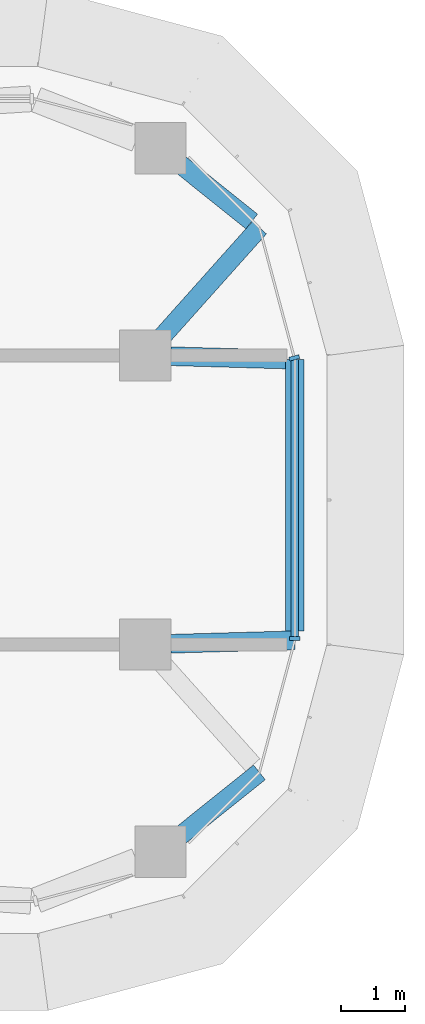
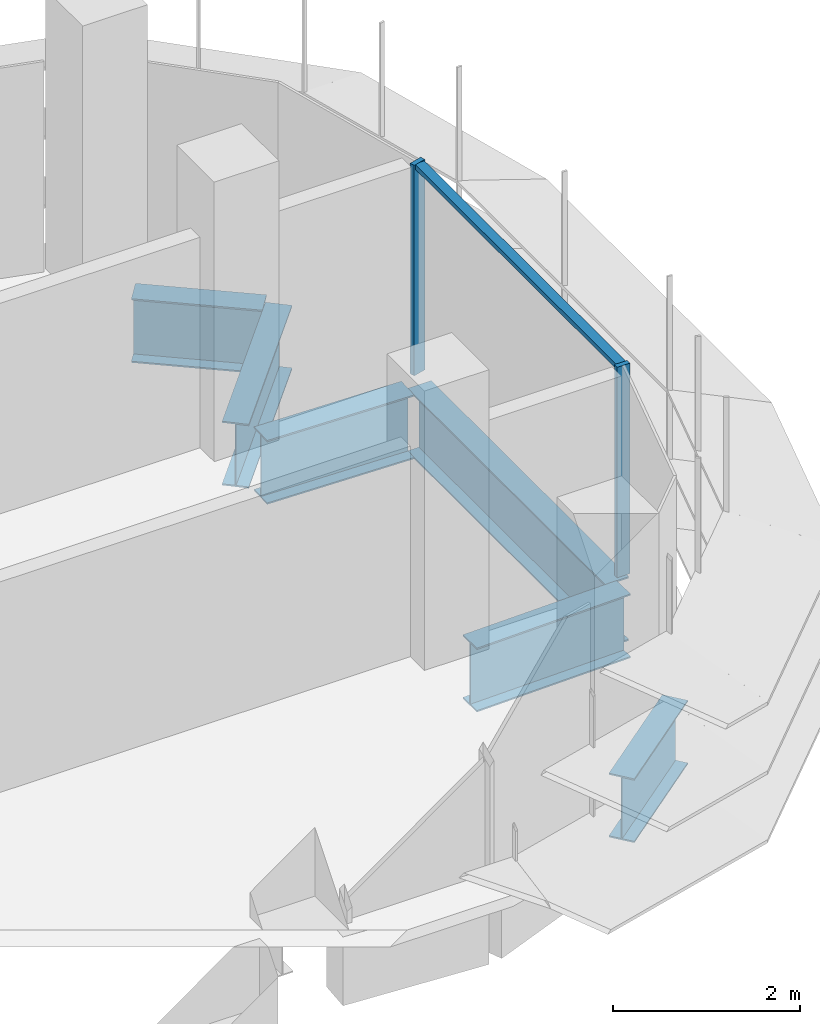
# One storey, part 10 of 19: 6 beams, 3 members, 2 elements without a shape of their own.
"""IFC4 building model written with IfcOpenShell, lengths in metres."""

from ifc_helpers import new_model, si_unit, direction, frame, origin, origin_2d, place, context, subcontext, project, spatial, polyline, i_section, outline, extrude, source, transform, mapped, material, material_profile, profile_set, type_object, element, aggregate, save


model = new_model("IFC4")

# Units and contexts
model_context = context("Model", 3, precision=1e-05, world=origin(), true_north=direction((0.0, 1.0)))
body_context = subcontext(model_context, "Body", "Model", "MODEL_VIEW")
ifc_project = project(units=[si_unit("LENGTHUNIT", "METRE"), si_unit("AREAUNIT", "SQUARE_METRE"), si_unit("VOLUMEUNIT", "CUBIC_METRE"), si_unit("PLANEANGLEUNIT", "RADIAN"), si_unit("MASSUNIT", "GRAM", prefix="KILO")], contexts=[model_context])

# Site, building, storey
site_placement = place(None, origin())
site = spatial("IfcSite", under=ifc_project, at=site_placement, CompositionType="ELEMENT")
building_placement = place(site_placement, origin())
building = spatial("IfcBuilding", under=site, at=building_placement, Name="Zarbagh Exchange Tower", CompositionType="ELEMENT")
storey_placement = place(building_placement, frame((0.0, 0.0, 175.199951171875)))
storey = spatial("IfcBuildingStorey", under=building, at=storey_placement, Name="L42", CompositionType="ELEMENT", Elevation=175.199951171875)

# Beams
ifc_material_1 = material(Name="Steel ASTM A992 Gr 50", Category="steel")
ifc_material_profile = material_profile(ifc_material_1, i_section(OverallWidth=0.2919921875, OverallDepth=0.835693359375, WebThickness=0.013916015625, FlangeThickness=0.018798828125, at=origin_2d()), Name="W33X118")
ifc_profile_set = profile_set([ifc_material_profile], Name="Steel ASTM A992 Gr 50")
beam_type = type_object("IfcBeamType", Name="Floor girder W33X118", PredefinedType="BEAM", material=ifc_profile_set)
beam_1_placement = place(storey_placement, frame((29.22021484375, 5.22509765625, -0.56787109375), z_axis=(0.780533236132, -0.625114283387, 0.0), x_axis=(0.625114283387, 0.780533236132, 0.0)))
element("IfcBeam", 1, at=beam_1_placement, inside=storey, type_object=beam_type, Name="Steel girder", PredefinedType="BEAM", context=body_context, shape_type="SweptSolid", body=[
    extrude(i_section(OverallWidth=0.2919921875, OverallDepth=0.835693359375, WebThickness=0.013916015625, FlangeThickness=0.018798828125, at=origin_2d()), origin(), (0.0, 0.0, 1.0), 1.420166015625),
])
beam_2_placement = place(storey_placement, frame((30.44873046875, 4.2412109375, -0.56787109375), z_axis=(-0.666191013206, -0.745781156857, 0.0), x_axis=(0.745781156857, -0.666191013206, 0.0)))
element("IfcBeam", 2, at=beam_2_placement, inside=storey, type_object=beam_type, Name="Steel girder", PredefinedType="BEAM", context=body_context, shape_type="SweptSolid", body=[
    extrude(i_section(OverallWidth=0.2919921875, OverallDepth=0.835693359375, WebThickness=0.013916015625, FlangeThickness=0.018798828125, at=origin_2d()), origin(), (0.0, 0.0, 1.0), 2.27001953125),
])
beam_3_placement = place(storey_placement, frame((29.06982421875, 2.23876953125, -0.56787109375), z_axis=(0.999600942558, -0.028248108547, 0.0), x_axis=(0.028248108547, 0.999600942558, 0.0)))
element("IfcBeam", 3, at=beam_3_placement, inside=storey, type_object=beam_type, Name="Steel girder", PredefinedType="BEAM", context=body_context, shape_type="SweptSolid", body=[
    extrude(i_section(OverallWidth=0.2919921875, OverallDepth=0.835693359375, WebThickness=0.013916015625, FlangeThickness=0.018798828125, at=origin_2d()), origin(), (0.0, 0.0, 1.0), 1.7890625),
])
beam_4_placement = place(storey_placement, frame((31.0, 2.18408203125, -0.56787109375), z_axis=(0.0, -1.0, 0.0), x_axis=(1.0, 0.0, 0.0)))
element("IfcBeam", 4, at=beam_4_placement, inside=storey, type_object=beam_type, Name="Steel girder", PredefinedType="BEAM", context=body_context, shape_type="SweptSolid", body=[
    extrude(i_section(OverallWidth=0.2919921875, OverallDepth=0.835693359375, WebThickness=0.013916015625, FlangeThickness=0.018798828125, at=origin_2d()), origin(), (0.0, 0.0, 1.0), 4.226318359375),
])
beam_5_placement = place(storey_placement, frame((31.0, -2.18408203125, -0.56787109375), z_axis=(-0.999598864551, -0.028321546377, 0.0), x_axis=(0.028321546377, -0.999598864551, 0.0)))
element("IfcBeam", 5, at=beam_5_placement, inside=storey, type_object=beam_type, Name="Steel girder", PredefinedType="BEAM", context=body_context, shape_type="SweptSolid", body=[
    extrude(i_section(OverallWidth=0.2919921875, OverallDepth=0.835693359375, WebThickness=0.013916015625, FlangeThickness=0.018798828125, at=origin_2d()), origin(), (0.0, 0.0, 1.0), 1.930908203125),
])
beam_6_placement = place(storey_placement, frame((30.44873046875, -4.2412109375, -0.56787109375), z_axis=(-0.780535770033, -0.625111119482, 0.0), x_axis=(0.625111119482, -0.780535770033, 0.0)))
element("IfcBeam", 6, at=beam_6_placement, inside=storey, type_object=beam_type, Name="Steel girder", PredefinedType="BEAM", context=body_context, shape_type="SweptSolid", body=[
    extrude(i_section(OverallWidth=0.2919921875, OverallDepth=0.835693359375, WebThickness=0.013916015625, FlangeThickness=0.018798828125, at=origin_2d()), origin(), (0.0, 0.0, 1.0), 1.573974609375),
])

# Curtain wall, member
ifc_material_2 = material(Name="Anodised aluminium frame and glazing", Category="aluminium")
curtain_wall_type = type_object("IfcCurtainWallType", Name="CWB Ribbon glazing, upper zones", PredefinedType="NOTDEFINED", material=ifc_material_2)
curtain_wall_1_placement = place(storey_placement, origin())
curtain_wall_1 = element("IfcCurtainWall", 7, at=curtain_wall_1_placement, inside=storey, type_object=curtain_wall_type, Name="CWB12 curtain wall", PredefinedType="NOTDEFINED")
ifc_material_3 = material(Name="Anodised aluminium frame", Category="aluminium")
member_type_1 = type_object("IfcMemberType", Name="MUB Mullion, anodised aluminium frame", PredefinedType="MULLION", material=ifc_material_3)
shared_shape_1 = source(origin(), body_context, "Body", "SweptSolid", [
    extrude(outline(polyline([(0.0, -0.080078125), (0.06005859375, -0.080078125), (0.06005859375, 0.080078125), (0.0, 0.080078125), (0.0, -0.080078125)])), origin(), (0.0, 0.0, 1.0), 2.75),
])
placement = place(storey_placement, origin())
member_1 = element("IfcMember", 8, at=placement, type_object=member_type_1, Name="CWB12 mullion 1.1", PredefinedType="MULLION", context=body_context, shape_type="MappedRepresentation", body=[
    mapped(shared_shape_1, transform((31.0, -2.18408203125, 0.0), x_axis=(0.0, 1.0, 0.0), y_axis=(-1.0, 0.0, 0.0), z_axis=(0.0, 0.0, 1.0))),
])

curtain_wall_2_placement = place(storey_placement, origin())
curtain_wall_2 = element("IfcCurtainWall", 9, at=curtain_wall_2_placement, inside=storey, type_object=curtain_wall_type, Name="CWB13 curtain wall", PredefinedType="NOTDEFINED")
member_2 = element("IfcMember", 10, at=placement, type_object=member_type_1, Name="CWB13 mullion 1.1", PredefinedType="MULLION", context=body_context, shape_type="MappedRepresentation", body=[
    mapped(shared_shape_1, transform((31.0, 2.18408203125, 0.0), x_axis=(-0.258824779902, 0.965924289636, 0.0), y_axis=(-0.965924289636, -0.258824779902, 0.0), z_axis=(0.0, 0.0, 1.0))),
])
aggregate(curtain_wall_2, [member_2])

# Member
member_type_2 = type_object("IfcMemberType", Name="TRB Transom, anodised aluminium frame", PredefinedType="USERDEFINED", material=ifc_material_3)
shared_shape_2 = source(origin(), body_context, "Body", "SweptSolid", [
    extrude(outline(polyline([(-0.06005859375, -0.06005859375), (0.0, -0.06005859375), (0.0, 0.06005859375), (-0.06005859375, 0.06005859375), (-0.06005859375, -0.06005859375)])), origin(), (0.0, 0.0, 1.0), 4.308349609375),
])
member_3 = element("IfcMember", 11, at=placement, type_object=member_type_2, Name="CWB12 transom 1.1", ObjectType="TRANSOM", PredefinedType="USERDEFINED", context=body_context, shape_type="MappedRepresentation", body=[
    mapped(shared_shape_2, transform((31.0, -2.124267578125, 2.75), x_axis=(0.0, 0.0, 1.0), y_axis=(1.0, 0.0, 0.0), z_axis=(0.0, 1.0, 0.0))),
])

aggregate(curtain_wall_1, [member_1, member_3])

save(model, "model.ifc")
